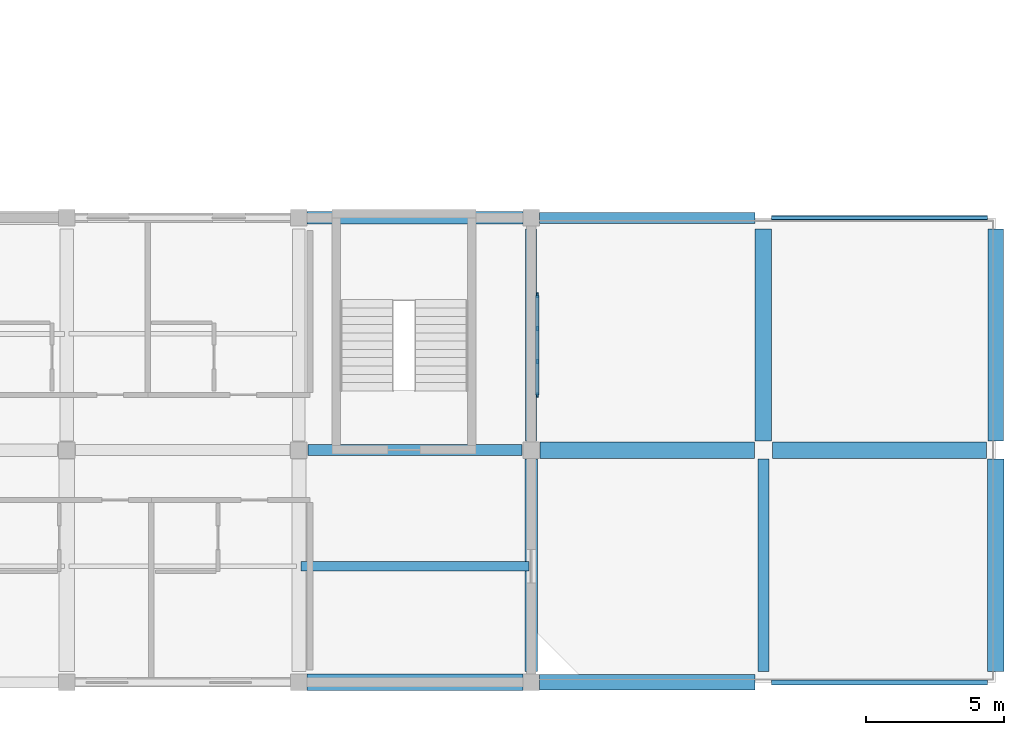
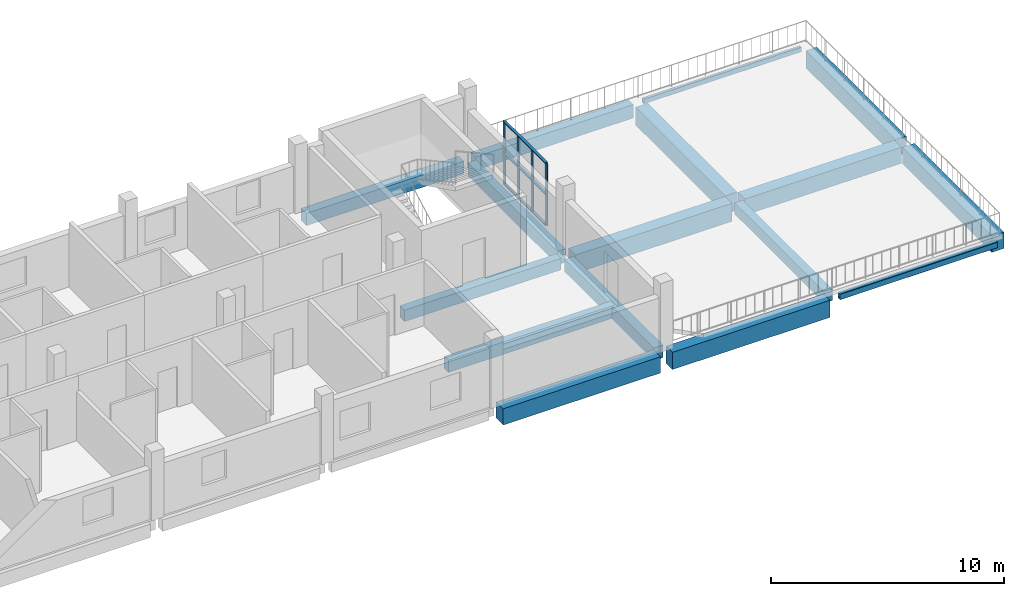
# One storey, part 7 of 25: 16 beams, 7 members, 1 element without a shape of its own.
"""IFC4 building model written with IfcOpenShell, lengths in metres."""

from ifc_helpers import new_model, si_unit, derived_unit, direction, frame, origin, origin_2d, place, context, subcontext, project, spatial, rectangle, hollow_rectangle, extrude, material, material_profile, profile_set, type_object, element, aggregate, save


model = new_model("IFC4")

# Units and contexts
model_context = context("Model", 3, precision=1e-05, world=origin(), true_north=direction((0.0, 1.0)))
body_context = subcontext(model_context, "Body", "Model", "MODEL_VIEW")
ifc_project = project(units=[si_unit("LENGTHUNIT", "METRE"), si_unit("AREAUNIT", "SQUARE_METRE"), si_unit("VOLUMEUNIT", "CUBIC_METRE"), si_unit("PLANEANGLEUNIT", "RADIAN"), si_unit("MASSUNIT", "GRAM", prefix="KILO"), derived_unit("THERMALTRANSMITTANCEUNIT", [(si_unit("POWERUNIT", "WATT"), 1), (si_unit("LENGTHUNIT", "METRE"), -2), (si_unit("THERMODYNAMICTEMPERATUREUNIT", "KELVIN"), -1)])], contexts=[model_context])

# Site, building, storey
site_placement = place(None, origin())
site = spatial("IfcSite", under=ifc_project, at=site_placement, CompositionType="ELEMENT")
building_placement = place(site_placement, origin())
building = spatial("IfcBuilding", under=site, at=building_placement, Name="Barrovel Congress Hotel", CompositionType="ELEMENT")
storey_placement = place(building_placement, frame((0.0, 0.0, 25.5)))
storey = spatial("IfcBuildingStorey", under=building, at=storey_placement, Name="L06", CompositionType="ELEMENT", Elevation=25.5)

# Beams
ifc_material_1 = material(Name="Concrete C40", Category="concrete")
ifc_material_profile_1 = material_profile(ifc_material_1, rectangle(XDim=0.35009765625, YDim=0.64990234375, at=origin_2d()), Name="RC350x650")
ifc_profile_set_1 = profile_set([ifc_material_profile_1], Name="Concrete C40")
beam_type_1 = type_object("IfcBeamType", Name="BM-RC350x650", PredefinedType="JOIST", material=ifc_profile_set_1)
beam_1_placement = place(storey_placement, frame((142.8798828125, 8.39990234375, -0.544921875), z_axis=(1.0, 0.0, 0.0), x_axis=(0.0, 1.0, 0.0)))
element("IfcBeam", 1, at=beam_1_placement, inside=storey, type_object=beam_type_1, Name="JST:L06:142.8:8.4", PredefinedType="JOIST", context=body_context, shape_type="SweptSolid", body=[
    extrude(rectangle(XDim=0.35009765625, YDim=0.64990234375, at=origin_2d()), origin(), (0.0, 0.0, 1.0), 8.240234375),
])
ifc_material_profile_2 = material_profile(ifc_material_1, rectangle(XDim=0.39990234375, YDim=0.60009765625, at=origin_2d()), Name="RC400x600")
ifc_profile_set_2 = profile_set([ifc_material_profile_2], Name="Concrete C40")
beam_type_2 = type_object("IfcBeamType", Name="BM-RC400x600", PredefinedType="BEAM", material=ifc_profile_set_2)
beam_2_placement = place(storey_placement, frame((143.125, 12.60009765625, -0.52001953125), z_axis=(1.0, 0.0, 0.0), x_axis=(0.0, 1.0, 0.0)))
element("IfcBeam", 2, at=beam_2_placement, inside=storey, type_object=beam_type_2, Name="BMX:L06:12.6:142.8-151.2", PredefinedType="BEAM", context=body_context, shape_type="SweptSolid", body=[
    extrude(rectangle(XDim=0.39990234375, YDim=0.60009765625, at=origin_2d()), origin(), (0.0, 0.0, 1.0), 7.75),
])
beam_3_placement = place(storey_placement, frame((159.60009765625, 4.60009765625, -0.52001953125), z_axis=(0.0, 1.0, 0.0), x_axis=(-1.0, 0.0, 0.0)))
element("IfcBeam", 3, at=beam_3_placement, inside=storey, type_object=beam_type_2, Name="BMY:L06:159.6:4.2-12.6", PredefinedType="BEAM", context=body_context, shape_type="SweptSolid", body=[
    extrude(rectangle(XDim=0.39990234375, YDim=0.60009765625, at=origin_2d()), origin(), (0.0, 0.0, 1.0), 7.6748046875),
])
ifc_material_profile_3 = material_profile(ifc_material_1, rectangle(XDim=0.39990234375, YDim=0.699951171875, at=origin_2d()), Name="RC400x700")
ifc_profile_set_3 = profile_set([ifc_material_profile_3], Name="Concrete C40")
beam_type_3 = type_object("IfcBeamType", Name="BM-RC400x700", PredefinedType="BEAM", material=ifc_profile_set_3)
beam_4_placement = place(storey_placement, frame((151.5, 21.0, -0.570068359375), z_axis=(1.0, 0.0, 0.0), x_axis=(0.0, 1.0, 0.0)))
element("IfcBeam", 4, at=beam_4_placement, inside=storey, type_object=beam_type_3, Name="BMX:L06:21.0:151.2-159.6", PredefinedType="BEAM", context=body_context, shape_type="SweptSolid", body=[
    extrude(rectangle(XDim=0.39990234375, YDim=0.699951171875, at=origin_2d()), origin(), (0.0, 0.0, 1.0), 7.800048828125),
])
beam_5_placement = place(storey_placement, frame((151.199951171875, 12.925048828125, -0.570068359375), z_axis=(0.0, 1.0, 0.0), x_axis=(-1.0, 0.0, 0.0)))
element("IfcBeam", 5, at=beam_5_placement, inside=storey, type_object=beam_type_3, Name="BMY:L06:151.2:12.6-21.0", PredefinedType="BEAM", context=body_context, shape_type="SweptSolid", body=[
    extrude(rectangle(XDim=0.39990234375, YDim=0.699951171875, at=origin_2d()), origin(), (0.0, 0.0, 1.0), 7.675048828125),
])
ifc_material_profile_4 = material_profile(ifc_material_1, rectangle(XDim=0.449951171875, YDim=0.64990234375, at=origin_2d()), Name="RC450x650")
ifc_profile_set_4 = profile_set([ifc_material_profile_4], Name="Concrete C40")
beam_type_4 = type_object("IfcBeamType", Name="BM-RC450x650", PredefinedType="BEAM", material=ifc_profile_set_4)
beam_6_placement = place(storey_placement, frame((143.10009765625, 21.0, -0.544921875), z_axis=(1.0, 0.0, 0.0), x_axis=(0.0, 1.0, 0.0)))
element("IfcBeam", 6, at=beam_6_placement, inside=storey, type_object=beam_type_4, Name="BMX:L06:21.0:142.8-151.2", PredefinedType="BEAM", context=body_context, shape_type="SweptSolid", body=[
    extrude(rectangle(XDim=0.449951171875, YDim=0.64990234375, at=origin_2d()), origin(), (0.0, 0.0, 1.0), 7.7998046875),
])
beam_7_placement = place(storey_placement, frame((151.199951171875, 4.60009765625, -0.544921875), z_axis=(0.0, 1.0, 0.0), x_axis=(-1.0, 0.0, 0.0)))
element("IfcBeam", 7, at=beam_7_placement, inside=storey, type_object=beam_type_4, Name="BMY:L06:151.2:4.2-12.6", PredefinedType="BEAM", context=body_context, shape_type="SweptSolid", body=[
    extrude(rectangle(XDim=0.449951171875, YDim=0.64990234375, at=origin_2d()), origin(), (0.0, 0.0, 1.0), 7.6748046875),
])
ifc_material_profile_5 = material_profile(ifc_material_1, rectangle(XDim=0.550048828125, YDim=0.89990234375, at=origin_2d()), Name="RC550x900")
ifc_profile_set_5 = profile_set([ifc_material_profile_5], Name="Concrete C40")
beam_type_5 = type_object("IfcBeamType", Name="BM-RC550x900", PredefinedType="BEAM", material=ifc_profile_set_5)
beam_8_placement = place(storey_placement, frame((151.5, 4.199951171875, -0.669921875), z_axis=(1.0, 0.0, 0.0), x_axis=(0.0, 1.0, 0.0)))
element("IfcBeam", 8, at=beam_8_placement, inside=storey, type_object=beam_type_5, Name="BMX:L06:4.2:151.2-159.6", PredefinedType="BEAM", context=body_context, shape_type="SweptSolid", body=[
    extrude(rectangle(XDim=0.550048828125, YDim=0.89990234375, at=origin_2d()), origin(), (0.0, 0.0, 1.0), 7.800048828125),
])
beam_9_placement = place(storey_placement, frame((168.0, 12.925048828125, -0.669921875), z_axis=(0.0, 1.0, 0.0), x_axis=(-1.0, 0.0, 0.0)))
element("IfcBeam", 9, at=beam_9_placement, inside=storey, type_object=beam_type_5, Name="BMY:L06:168.0:12.6-21.0", PredefinedType="BEAM", context=body_context, shape_type="SweptSolid", body=[
    extrude(rectangle(XDim=0.550048828125, YDim=0.89990234375, at=origin_2d()), origin(), (0.0, 0.0, 1.0), 7.675048828125),
])
ifc_material_profile_6 = material_profile(ifc_material_1, rectangle(XDim=0.60009765625, YDim=0.85009765625, at=origin_2d()), Name="RC600x850")
ifc_profile_set_6 = profile_set([ifc_material_profile_6], Name="Concrete C40")
beam_type_6 = type_object("IfcBeamType", Name="BM-RC600x850", PredefinedType="BEAM", material=ifc_profile_set_6)
beam_10_placement = place(storey_placement, frame((143.10009765625, 4.199951171875, -0.64501953125), z_axis=(1.0, 0.0, 0.0), x_axis=(0.0, 1.0, 0.0)))
element("IfcBeam", 10, at=beam_10_placement, inside=storey, type_object=beam_type_6, Name="BMX:L06:4.2:142.8-151.2", PredefinedType="BEAM", context=body_context, shape_type="SweptSolid", body=[
    extrude(rectangle(XDim=0.60009765625, YDim=0.85009765625, at=origin_2d()), origin(), (0.0, 0.0, 1.0), 7.7998046875),
])
beam_11_placement = place(storey_placement, frame((159.925048828125, 12.60009765625, -0.64501953125), z_axis=(1.0, 0.0, 0.0), x_axis=(0.0, 1.0, 0.0)))
element("IfcBeam", 11, at=beam_11_placement, inside=storey, type_object=beam_type_6, Name="BMX:L06:12.6:159.6-168.0", PredefinedType="BEAM", context=body_context, shape_type="SweptSolid", body=[
    extrude(rectangle(XDim=0.60009765625, YDim=0.85009765625, at=origin_2d()), origin(), (0.0, 0.0, 1.0), 7.75),
])
beam_12_placement = place(storey_placement, frame((168.0, 4.60009765625, -0.64501953125), z_axis=(0.0, 1.0, 0.0), x_axis=(-1.0, 0.0, 0.0)))
element("IfcBeam", 12, at=beam_12_placement, inside=storey, type_object=beam_type_6, Name="BMY:L06:168.0:4.2-12.6", PredefinedType="BEAM", context=body_context, shape_type="SweptSolid", body=[
    extrude(rectangle(XDim=0.60009765625, YDim=0.85009765625, at=origin_2d()), origin(), (0.0, 0.0, 1.0), 7.6748046875),
])
ifc_material_profile_7 = material_profile(ifc_material_1, rectangle(XDim=0.60009765625, YDim=0.949951171875, at=origin_2d()), Name="RC600x950")
ifc_profile_set_7 = profile_set([ifc_material_profile_7], Name="Concrete C40")
beam_type_7 = type_object("IfcBeamType", Name="BM-RC600x950", PredefinedType="BEAM", material=ifc_profile_set_7)
beam_13_placement = place(storey_placement, frame((151.52490234375, 12.60009765625, -0.695068359375), z_axis=(1.0, 0.0, 0.0), x_axis=(0.0, 1.0, 0.0)))
element("IfcBeam", 13, at=beam_13_placement, inside=storey, type_object=beam_type_7, Name="BMX:L06:12.6:151.2-159.6", PredefinedType="BEAM", context=body_context, shape_type="SweptSolid", body=[
    extrude(rectangle(XDim=0.60009765625, YDim=0.949951171875, at=origin_2d()), origin(), (0.0, 0.0, 1.0), 7.75),
])
beam_14_placement = place(storey_placement, frame((159.60009765625, 12.925048828125, -0.695068359375), z_axis=(0.0, 1.0, 0.0), x_axis=(-1.0, 0.0, 0.0)))
element("IfcBeam", 14, at=beam_14_placement, inside=storey, type_object=beam_type_7, Name="BMY:L06:159.6:12.6-21.0", PredefinedType="BEAM", context=body_context, shape_type="SweptSolid", body=[
    extrude(rectangle(XDim=0.60009765625, YDim=0.949951171875, at=origin_2d()), origin(), (0.0, 0.0, 1.0), 7.675048828125),
])

# Curtain wall, members
ifc_material_2 = material(Name="Anodised Aluminium Alloy 6063-T6", Category="aluminium")
curtain_wall_type = type_object("IfcCurtainWallType", Name="CW-UN-3600x3200", PredefinedType="USERDEFINED", material=ifc_material_2)
curtain_wall_placement = place(storey_placement, origin())
curtain_wall = element("IfcCurtainWall", 15, at=curtain_wall_placement, inside=storey, type_object=curtain_wall_type, Name="CW:L06:UN-1", ObjectType="UNITISED CURTAIN WALL", PredefinedType="USERDEFINED")
ifc_material_profile_8 = material_profile(ifc_material_2, rectangle(XDim=0.06005859375, YDim=0.1650390625, at=origin_2d()), Name="AL-M60x165")
ifc_profile_set_8 = profile_set([ifc_material_profile_8], Name="Anodised Aluminium Alloy 6063-T6")
member_type_1 = type_object("IfcMemberType", Name="CWM-AL-M60x165", PredefinedType="MULLION", material=ifc_profile_set_8)
member_1_placement = place(storey_placement, frame((151.419921875, 14.60009765625, 0.0), z_axis=(0.0, 0.0, 1.0), x_axis=(1.0, 0.0, 0.0)))
member_1 = element("IfcMember", 16, at=member_1_placement, type_object=member_type_1, Name="CW:L06:UN-1:M0", PredefinedType="MULLION", context=body_context, shape_type="SweptSolid", body=[
    extrude(rectangle(XDim=0.06005859375, YDim=0.1650390625, at=origin_2d()), origin(), (0.0, 0.0, 1.0), 3.25),
])
member_2_placement = place(storey_placement, frame((151.419921875, 15.800048828125, 0.0), z_axis=(0.0, 0.0, 1.0), x_axis=(1.0, 0.0, 0.0)))
member_2 = element("IfcMember", 17, at=member_2_placement, type_object=member_type_1, Name="CW:L06:UN-1:M1", PredefinedType="MULLION", context=body_context, shape_type="SweptSolid", body=[
    extrude(rectangle(XDim=0.06005859375, YDim=0.1650390625, at=origin_2d()), origin(), (0.0, 0.0, 1.0), 3.25),
])
member_3_placement = place(storey_placement, frame((151.419921875, 17.0, 0.0), z_axis=(0.0, 0.0, 1.0), x_axis=(1.0, 0.0, 0.0)))
member_3 = element("IfcMember", 18, at=member_3_placement, type_object=member_type_1, Name="CW:L06:UN-1:M2", PredefinedType="MULLION", context=body_context, shape_type="SweptSolid", body=[
    extrude(rectangle(XDim=0.06005859375, YDim=0.1650390625, at=origin_2d()), origin(), (0.0, 0.0, 1.0), 3.25),
])
member_4_placement = place(storey_placement, frame((151.419921875, 18.199951171875, 0.0), z_axis=(0.0, 0.0, 1.0), x_axis=(1.0, 0.0, 0.0)))
member_4 = element("IfcMember", 19, at=member_4_placement, type_object=member_type_1, Name="CW:L06:UN-1:M3", PredefinedType="MULLION", context=body_context, shape_type="SweptSolid", body=[
    extrude(rectangle(XDim=0.06005859375, YDim=0.1650390625, at=origin_2d()), origin(), (0.0, 0.0, 1.0), 3.25),
])
ifc_material_profile_9 = material_profile(ifc_material_2, rectangle(XDim=0.125, YDim=0.06005859375, at=origin_2d()), Name="AL-T60x125")
ifc_profile_set_9 = profile_set([ifc_material_profile_9], Name="Anodised Aluminium Alloy 6063-T6")
member_type_2 = type_object("IfcMemberType", Name="CWT-AL-T60x125", PredefinedType="USERDEFINED", material=ifc_profile_set_9)
member_5_placement = place(storey_placement, frame((151.419921875, 14.60009765625, 0.0), z_axis=(0.0, 1.0, 0.0), x_axis=(-1.0, 0.0, 0.0)))
member_5 = element("IfcMember", 20, at=member_5_placement, type_object=member_type_2, Name="CW:L06:UN-1:T0", ObjectType="TRANSOM", PredefinedType="USERDEFINED", context=body_context, shape_type="SweptSolid", body=[
    extrude(rectangle(XDim=0.125, YDim=0.06005859375, at=origin_2d()), origin(), (0.0, 0.0, 1.0), 3.599853515625),
])
member_6_placement = place(storey_placement, frame((151.419921875, 14.60009765625, 1.625), z_axis=(0.0, 1.0, 0.0), x_axis=(-1.0, 0.0, 0.0)))
member_6 = element("IfcMember", 21, at=member_6_placement, type_object=member_type_2, Name="CW:L06:UN-1:T1", ObjectType="TRANSOM", PredefinedType="USERDEFINED", context=body_context, shape_type="SweptSolid", body=[
    extrude(rectangle(XDim=0.125, YDim=0.06005859375, at=origin_2d()), origin(), (0.0, 0.0, 1.0), 3.599853515625),
])
member_7_placement = place(storey_placement, frame((151.419921875, 14.60009765625, 3.25), z_axis=(0.0, 1.0, 0.0), x_axis=(-1.0, 0.0, 0.0)))
member_7 = element("IfcMember", 22, at=member_7_placement, type_object=member_type_2, Name="CW:L06:UN-1:T2", ObjectType="TRANSOM", PredefinedType="USERDEFINED", context=body_context, shape_type="SweptSolid", body=[
    extrude(rectangle(XDim=0.125, YDim=0.06005859375, at=origin_2d()), origin(), (0.0, 0.0, 1.0), 3.599853515625),
])
aggregate(curtain_wall, [member_1, member_2, member_3, member_4, member_5, member_6, member_7])

# Beams
ifc_material_3 = material(Name="Steel ASTM A500 Grade C", Category="steel")
ifc_material_profile_10 = material_profile(ifc_material_3, hollow_rectangle(XDim=0.15234375, YDim=0.25390625, WallThickness=0.0087890625, InnerFilletRadius=0.0087890625, OuterFilletRadius=0.017578125, at=origin_2d()), Name="HSS254x152x9.5")
ifc_profile_set_10 = profile_set([ifc_material_profile_10], Name="Steel ASTM A500 Grade C")
beam_type_8 = type_object("IfcBeamType", Name="SBM-HSS254x152x9.5", PredefinedType="SPANDREL", material=ifc_profile_set_10)
beam_15_placement = place(storey_placement, frame((159.89990234375, 21.0, -0.346923828125), z_axis=(1.0, 0.0, 0.0), x_axis=(0.0, 1.0, 0.0)))
element("IfcBeam", 23, at=beam_15_placement, inside=storey, type_object=beam_type_8, Name="BMX:L06:21.0:159.6-168.0", PredefinedType="SPANDREL", context=body_context, shape_type="SweptSolid", body=[
    extrude(hollow_rectangle(XDim=0.15234375, YDim=0.25390625, WallThickness=0.0087890625, InnerFilletRadius=0.0087890625, OuterFilletRadius=0.017578125, at=origin_2d()), origin(), (0.0, 0.0, 1.0), 7.800048828125),
])
ifc_material_profile_11 = material_profile(ifc_material_3, hollow_rectangle(XDim=0.203125, YDim=0.3046875, WallThickness=0.01171875, InnerFilletRadius=0.01171875, OuterFilletRadius=0.023681640625, at=origin_2d()), Name="HSS305x203x12.7")
ifc_profile_set_11 = profile_set([ifc_material_profile_11], Name="Steel ASTM A500 Grade C")
beam_type_9 = type_object("IfcBeamType", Name="SBM-HSS305x203x12.7", PredefinedType="SPANDREL", material=ifc_profile_set_11)
beam_16_placement = place(storey_placement, frame((159.89990234375, 4.199951171875, -0.372314453125), z_axis=(1.0, 0.0, 0.0), x_axis=(0.0, 1.0, 0.0)))
element("IfcBeam", 24, at=beam_16_placement, inside=storey, type_object=beam_type_9, Name="BMX:L06:4.2:159.6-168.0", PredefinedType="SPANDREL", context=body_context, shape_type="SweptSolid", body=[
    extrude(hollow_rectangle(XDim=0.203125, YDim=0.3046875, WallThickness=0.01171875, InnerFilletRadius=0.01171875, OuterFilletRadius=0.023681640625, at=origin_2d()), origin(), (0.0, 0.0, 1.0), 7.800048828125),
])

save(model, "model.ifc")
